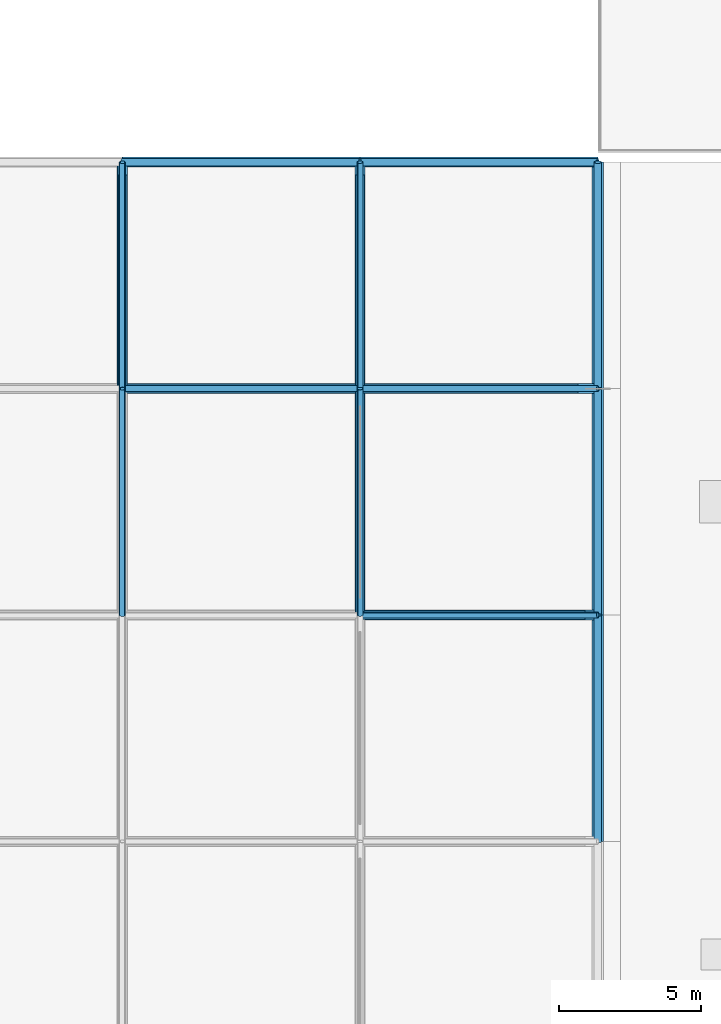
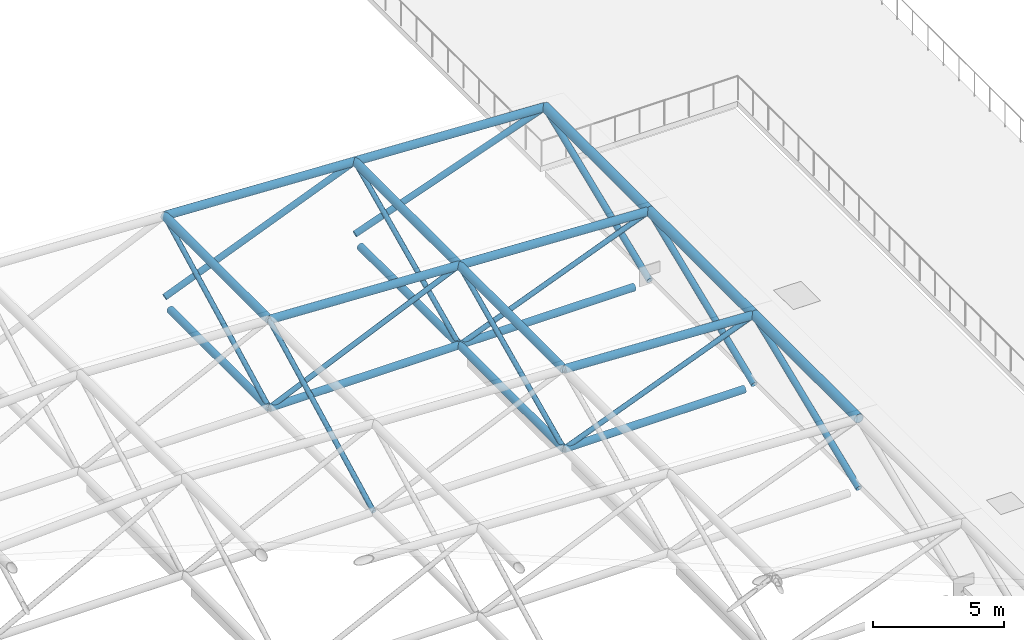
# One storey, part 9 of 37: 15 members, 14 beams.
"""IFC4 building model written with IfcOpenShell, lengths in metres."""

from ifc_helpers import new_model, si_unit, direction, frame, origin, origin_2d, place, context, subcontext, project, spatial, hollow_circle, extrude, material, material_profile, profile_set, type_object, element, save


model = new_model("IFC4")

# Units and contexts
model_context = context("Model", 3, precision=1e-05, world=origin(), true_north=direction((0.0, 1.0)))
body_context = subcontext(model_context, "Body", "Model", "MODEL_VIEW")
ifc_project = project(units=[si_unit("LENGTHUNIT", "METRE"), si_unit("AREAUNIT", "SQUARE_METRE"), si_unit("VOLUMEUNIT", "CUBIC_METRE"), si_unit("PLANEANGLEUNIT", "RADIAN"), si_unit("MASSUNIT", "GRAM", prefix="KILO")], contexts=[model_context])

# Site, building, storey
site_placement = place(None, origin())
site = spatial("IfcSite", under=ifc_project, at=site_placement, CompositionType="ELEMENT")
building_placement = place(site_placement, origin())
building = spatial("IfcBuilding", under=site, at=building_placement, Name="Naruveol Harbour Congress Hotel", CompositionType="ELEMENT")
storey_placement = place(building_placement, frame((0.0, 0.0, 16.199951171875)))
storey = spatial("IfcBuildingStorey", under=building, at=storey_placement, Name="L03", CompositionType="ELEMENT", Elevation=16.199951171875)

# Beams
ifc_material_1 = material(Name="Steel SN490", Category="steel")
ifc_material_profile_1 = material_profile(ifc_material_1, hollow_circle(Radius=0.161865234375, WallThickness=0.012451171875, at=origin_2d()), Name="CHS-323.9x12.5")
ifc_profile_set_1 = profile_set([ifc_material_profile_1], Name="Steel SN490")
beam_type_1 = type_object("IfcBeamType", Name="STEEL SPACE FRAME BOTTOM CHORD CHS324", PredefinedType="JOIST", material=ifc_profile_set_1)
beam_1_placement = place(storey_placement, frame((42.0, 40.0, -0.320068359375), z_axis=(1.0, 0.0, 0.0), x_axis=(0.0, 1.0, 0.0)))
element("IfcBeam", 1, at=beam_1_placement, inside=storey, type_object=beam_type_1, Name="Space frame bottom chord X #30", PredefinedType="JOIST", context=body_context, shape_type="SweptSolid", body=[
    extrude(hollow_circle(Radius=0.161865234375, WallThickness=0.012451171875, at=origin_2d()), origin(), (0.0, 0.0, 1.0), 7.955078125),
])
beam_2_placement = place(storey_placement, frame((33.60009765625, 48.0, -0.320068359375), z_axis=(1.0, 0.0, 0.0), x_axis=(0.0, 1.0, 0.0)))
element("IfcBeam", 2, at=beam_2_placement, inside=storey, type_object=beam_type_1, Name="Space frame bottom chord X #35", PredefinedType="JOIST", context=body_context, shape_type="SweptSolid", body=[
    extrude(hollow_circle(Radius=0.161865234375, WallThickness=0.012451171875, at=origin_2d()), origin(), (0.0, 0.0, 1.0), 8.39990234375),
])
beam_3_placement = place(storey_placement, frame((42.0, 48.0, -0.320068359375), z_axis=(1.0, 0.0, 0.0), x_axis=(0.0, 1.0, 0.0)))
element("IfcBeam", 3, at=beam_3_placement, inside=storey, type_object=beam_type_1, Name="Space frame bottom chord X #36", PredefinedType="JOIST", context=body_context, shape_type="SweptSolid", body=[
    extrude(hollow_circle(Radius=0.161865234375, WallThickness=0.012451171875, at=origin_2d()), origin(), (0.0, 0.0, 1.0), 7.705078125),
])
beam_4_placement = place(storey_placement, frame((33.60009765625, 48.0, -0.320068359375), z_axis=(0.0, 1.0, 0.0), x_axis=(-1.0, 0.0, 0.0)))
element("IfcBeam", 4, at=beam_4_placement, inside=storey, type_object=beam_type_1, Name="Space frame bottom chord Y #64", PredefinedType="JOIST", context=body_context, shape_type="SweptSolid", body=[
    extrude(hollow_circle(Radius=0.161865234375, WallThickness=0.012451171875, at=origin_2d()), origin(), (0.0, 0.0, 1.0), 7.554931640625),
])
beam_5_placement = place(storey_placement, frame((42.0, 40.0, -0.320068359375), z_axis=(0.0, 1.0, 0.0), x_axis=(-1.0, 0.0, 0.0)))
element("IfcBeam", 5, at=beam_5_placement, inside=storey, type_object=beam_type_1, Name="Space frame bottom chord Y #70", PredefinedType="JOIST", context=body_context, shape_type="SweptSolid", body=[
    extrude(hollow_circle(Radius=0.161865234375, WallThickness=0.012451171875, at=origin_2d()), origin(), (0.0, 0.0, 1.0), 8.0),
])
beam_6_placement = place(storey_placement, frame((42.0, 48.0, -0.320068359375), z_axis=(0.0, 1.0, 0.0), x_axis=(-1.0, 0.0, 0.0)))
element("IfcBeam", 6, at=beam_6_placement, inside=storey, type_object=beam_type_1, Name="Space frame bottom chord Y #71", PredefinedType="JOIST", context=body_context, shape_type="SweptSolid", body=[
    extrude(hollow_circle(Radius=0.161865234375, WallThickness=0.012451171875, at=origin_2d()), origin(), (0.0, 0.0, 1.0), 7.554931640625),
])

# Members
ifc_material_2 = material(Name="Steel SN490", Category="steel")
ifc_material_profile_2 = material_profile(ifc_material_2, hollow_circle(Radius=0.203125, WallThickness=0.01611328125, at=origin_2d()), Name="CHS-406.4x16")
ifc_profile_set_2 = profile_set([ifc_material_profile_2], Name="Steel SN490")
member_type_1 = type_object("IfcMemberType", Name="STEEL SPACE FRAME COLLECTOR CHORD CHS406", PredefinedType="CHORD", material=ifc_profile_set_2)
for number, where, z_axis, x_axis, name in (
    (7, (50.39990234375, 32.0, 3.0), (0.0, 1.0, 0.0), (-1.0, 0.0, 0.0), "Space frame top chord Y #166"),
    (8, (50.39990234375, 40.0, 3.0), (0.0, 1.0, 0.0), (-1.0, 0.0, 0.0), "Space frame top chord Y #167"),
    (9, (50.39990234375, 48.0, 3.0), (0.0, 1.0, 0.0), (-1.0, 0.0, 0.0), "Space frame top chord Y #168"),
):
    element("IfcMember", number, at=place(storey_placement, frame(where, z_axis=z_axis, x_axis=x_axis)), inside=storey, type_object=member_type_1, Name=name, PredefinedType="CHORD", context=body_context, shape_type="SweptSolid", body=[
        extrude(hollow_circle(Radius=0.203125, WallThickness=0.01611328125, at=origin_2d()), origin(), (0.0, 0.0, 1.0), 8.0),
    ])
ifc_material_3 = material(Name="Steel SN490", Category="steel")
ifc_material_profile_3 = material_profile(ifc_material_3, hollow_circle(Radius=0.1337890625, WallThickness=0.011962890625, at=origin_2d()), Name="CHS-267.4x12")
ifc_profile_set_3 = profile_set([ifc_material_profile_3], Name="Steel SN490")
member_type_2 = type_object("IfcMemberType", Name="STEEL SPACE FRAME EDGE STRUT CHS267", PredefinedType="STRUT", material=ifc_profile_set_3)
member_1_placement = place(storey_placement, frame((33.60009765625, 56.0, 0.0), z_axis=(0.926939674222, 0.0, 0.375210394783), x_axis=(0.0, 1.0, 0.0)))
element("IfcMember", 10, at=member_1_placement, inside=storey, type_object=member_type_2, Name="Space frame north strut #243", PredefinedType="STRUT", context=body_context, shape_type="SweptSolid", body=[
    extrude(hollow_circle(Radius=0.1337890625, WallThickness=0.011962890625, at=origin_2d()), origin(), (0.0, 0.0, 1.0), 9.06201171875),
])
for number, where, z_axis, x_axis, name in (
    (11, (50.39990234375, 32.0, -0.260009765625), (0.0, 0.926062000951, 0.377371395834), (-1.0, 0.0, 0.0), "Space frame edge strut #258"),
    (12, (50.39990234375, 40.0, -0.260009765625), (0.0, 0.926062000951, 0.377371395834), (-1.0, 0.0, 0.0), "Space frame edge strut #261"),
    (13, (50.39990234375, 48.0, -0.260009765625), (0.0, 0.926062000951, 0.377371395834), (-1.0, 0.0, 0.0), "Space frame edge strut #264"),
):
    element("IfcMember", number, at=place(storey_placement, frame(where, z_axis=z_axis, x_axis=x_axis)), inside=storey, type_object=member_type_2, Name=name, PredefinedType="STRUT", context=body_context, shape_type="SweptSolid", body=[
        extrude(hollow_circle(Radius=0.1337890625, WallThickness=0.011962890625, at=origin_2d()), origin(), (0.0, 0.0, 1.0), 8.638671875),
    ])
member_2_placement = place(storey_placement, frame((42.0, 56.0, 0.0), z_axis=(0.941740673063, 0.0, 0.336339864867), x_axis=(0.0, 1.0, 0.0)))
element("IfcMember", 14, at=member_2_placement, inside=storey, type_object=member_type_2, Name="Space frame north strut #265", PredefinedType="STRUT", context=body_context, shape_type="SweptSolid", body=[
    extrude(hollow_circle(Radius=0.1337890625, WallThickness=0.011962890625, at=origin_2d()), origin(), (0.0, 0.0, 1.0), 8.91943359375),
])
ifc_material_4 = material(Name="Steel SN490", Category="steel")
ifc_material_profile_4 = material_profile(ifc_material_4, hollow_circle(Radius=0.109619140625, WallThickness=0.010009765625, at=origin_2d()), Name="CHS-219.1x10")
ifc_profile_set_4 = profile_set([ifc_material_profile_4], Name="Steel SN490")
member_type_3 = type_object("IfcMemberType", Name="STEEL SPACE FRAME MAIN DIAGONAL CHS219", PredefinedType="BRACE", material=ifc_profile_set_4)
member_3_placement = place(storey_placement, frame((33.60009765625, 40.0, -0.320068359375), z_axis=(0.0, 0.889024087691, 0.457860427975), x_axis=(-1.0, 0.0, 0.0)))
element("IfcMember", 15, at=member_3_placement, inside=storey, type_object=member_type_3, Name="Space frame transverse diagonal #240", PredefinedType="BRACE", context=body_context, shape_type="SweptSolid", body=[
    extrude(hollow_circle(Radius=0.109619140625, WallThickness=0.010009765625, at=origin_2d()), origin(), (0.0, 0.0, 1.0), 8.99853515625),
])
member_4_placement = place(storey_placement, frame((33.60009765625, 48.0, -0.320068359375), z_axis=(0.914338987874, 0.0, 0.40494964533), x_axis=(0.0, 1.0, 0.0)))
element("IfcMember", 16, at=member_4_placement, inside=storey, type_object=member_type_3, Name="Space frame web diagonal #241", PredefinedType="BRACE", context=body_context, shape_type="SweptSolid", body=[
    extrude(hollow_circle(Radius=0.109619140625, WallThickness=0.010009765625, at=origin_2d()), origin(), (0.0, 0.0, 1.0), 9.186767578125),
])
member_5_placement = place(storey_placement, frame((33.60009765625, 48.0, -0.320068359375), z_axis=(0.0, 0.889024087691, 0.457860427975), x_axis=(-1.0, 0.0, 0.0)))
element("IfcMember", 17, at=member_5_placement, inside=storey, type_object=member_type_3, Name="Space frame transverse diagonal #242", PredefinedType="BRACE", context=body_context, shape_type="SweptSolid", body=[
    extrude(hollow_circle(Radius=0.109619140625, WallThickness=0.010009765625, at=origin_2d()), origin(), (0.0, 0.0, 1.0), 8.99853515625),
])
member_6_placement = place(storey_placement, frame((42.0, 40.0, -0.320068359375), z_axis=(0.929991880905, 0.0, 0.367580061281), x_axis=(0.0, 1.0, 0.0)))
element("IfcMember", 18, at=member_6_placement, inside=storey, type_object=member_type_3, Name="Space frame web diagonal #259", PredefinedType="BRACE", context=body_context, shape_type="SweptSolid", body=[
    extrude(hollow_circle(Radius=0.109619140625, WallThickness=0.010009765625, at=origin_2d()), origin(), (0.0, 0.0, 1.0), 9.0322265625),
])
member_7_placement = place(storey_placement, frame((42.0, 40.0, -0.320068359375), z_axis=(0.0, 0.906752115722, 0.421664085064), x_axis=(-1.0, 0.0, 0.0)))
element("IfcMember", 19, at=member_7_placement, inside=storey, type_object=member_type_3, Name="Space frame transverse diagonal #260", PredefinedType="BRACE", context=body_context, shape_type="SweptSolid", body=[
    extrude(hollow_circle(Radius=0.109619140625, WallThickness=0.010009765625, at=origin_2d()), origin(), (0.0, 0.0, 1.0), 8.82275390625),
])
member_8_placement = place(storey_placement, frame((42.0, 48.0, -0.320068359375), z_axis=(0.929991880905, 0.0, 0.367580061281), x_axis=(0.0, 1.0, 0.0)))
element("IfcMember", 20, at=member_8_placement, inside=storey, type_object=member_type_3, Name="Space frame web diagonal #262", PredefinedType="BRACE", context=body_context, shape_type="SweptSolid", body=[
    extrude(hollow_circle(Radius=0.109619140625, WallThickness=0.010009765625, at=origin_2d()), origin(), (0.0, 0.0, 1.0), 9.0322265625),
])
member_9_placement = place(storey_placement, frame((42.0, 48.0, -0.320068359375), z_axis=(0.0, 0.906752115722, 0.421664085064), x_axis=(-1.0, 0.0, 0.0)))
element("IfcMember", 21, at=member_9_placement, inside=storey, type_object=member_type_3, Name="Space frame transverse diagonal #263", PredefinedType="BRACE", context=body_context, shape_type="SweptSolid", body=[
    extrude(hollow_circle(Radius=0.109619140625, WallThickness=0.010009765625, at=origin_2d()), origin(), (0.0, 0.0, 1.0), 8.82275390625),
])

# Beams
ifc_material_5 = material(Name="Steel SN490", Category="steel")
ifc_material_profile_5 = material_profile(ifc_material_5, hollow_circle(Radius=0.177734375, WallThickness=0.01611328125, at=origin_2d()), Name="CHS-355.6x16")
ifc_profile_set_5 = profile_set([ifc_material_profile_5], Name="Steel SN490")
beam_type_2 = type_object("IfcBeamType", Name="STEEL SPACE FRAME TOP CHORD CHS356", PredefinedType="JOIST", material=ifc_profile_set_5)
for number, where, z_axis, x_axis, name in (
    (22, (42.0, 40.0, 3.400146484375), (0.998867283688, 0.0, -0.047583080799), (0.0, 1.0, 0.0), "Space frame top chord X #107"),
    (23, (33.60009765625, 48.0, 3.800048828125), (0.998868663126, 0.0, -0.047554114695), (0.0, 1.0, 0.0), "Space frame top chord X #112"),
    (24, (42.0, 48.0, 3.400146484375), (0.998867283688, 0.0, -0.047583080799), (0.0, 1.0, 0.0), "Space frame top chord X #113"),
    (25, (33.60009765625, 56.0, 3.800048828125), (0.998868663126, 0.0, -0.047554114695), (0.0, 1.0, 0.0), "Space frame top chord X #118"),
    (26, (42.0, 56.0, 3.400146484375), (0.998867283688, 0.0, -0.047583080799), (0.0, 1.0, 0.0), "Space frame top chord X #119"),
):
    element("IfcBeam", number, at=place(storey_placement, frame(where, z_axis=z_axis, x_axis=x_axis)), inside=storey, type_object=beam_type_2, Name=name, PredefinedType="JOIST", context=body_context, shape_type="SweptSolid", body=[
        extrude(hollow_circle(Radius=0.177734375, WallThickness=0.01611328125, at=origin_2d()), origin(), (0.0, 0.0, 1.0), 8.409423828125),
    ])
for number, where, z_axis, x_axis, name in (
    (27, (33.60009765625, 48.0, 3.800048828125), (0.0, 1.0, 0.0), (-1.0, 0.0, 0.0), "Space frame top chord Y #154"),
    (28, (42.0, 40.0, 3.400146484375), (0.0, 1.0, 0.0), (-1.0, 0.0, 0.0), "Space frame top chord Y #160"),
    (29, (42.0, 48.0, 3.400146484375), (0.0, 1.0, 0.0), (-1.0, 0.0, 0.0), "Space frame top chord Y #161"),
):
    element("IfcBeam", number, at=place(storey_placement, frame(where, z_axis=z_axis, x_axis=x_axis)), inside=storey, type_object=beam_type_2, Name=name, PredefinedType="JOIST", context=body_context, shape_type="SweptSolid", body=[
        extrude(hollow_circle(Radius=0.177734375, WallThickness=0.01611328125, at=origin_2d()), origin(), (0.0, 0.0, 1.0), 8.0),
    ])

save(model, "model.ifc")
